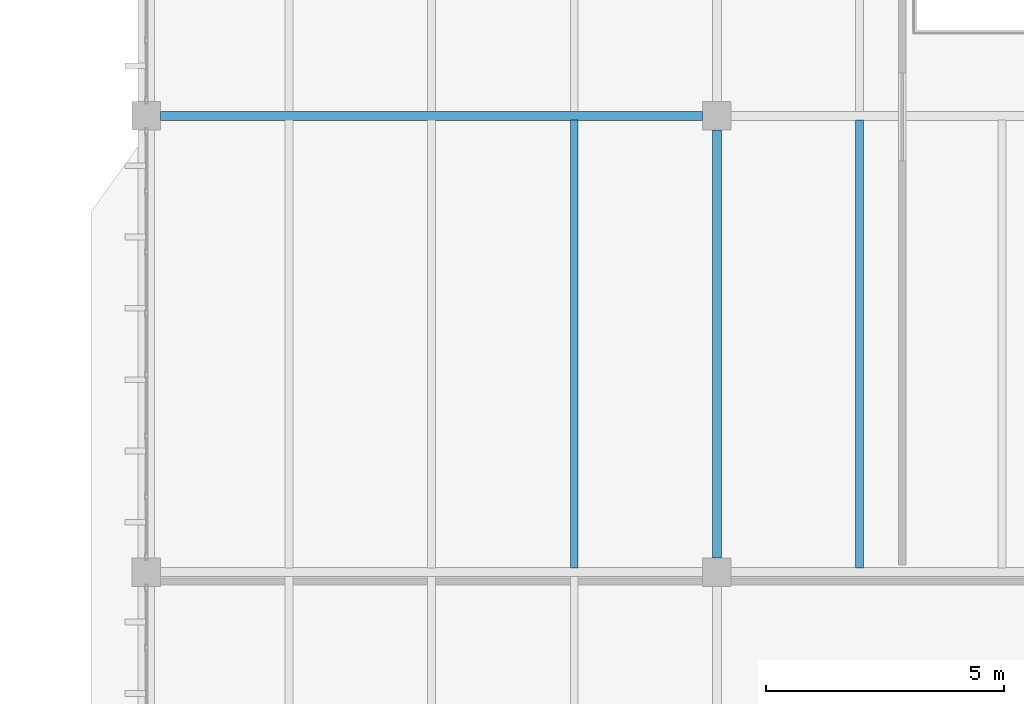
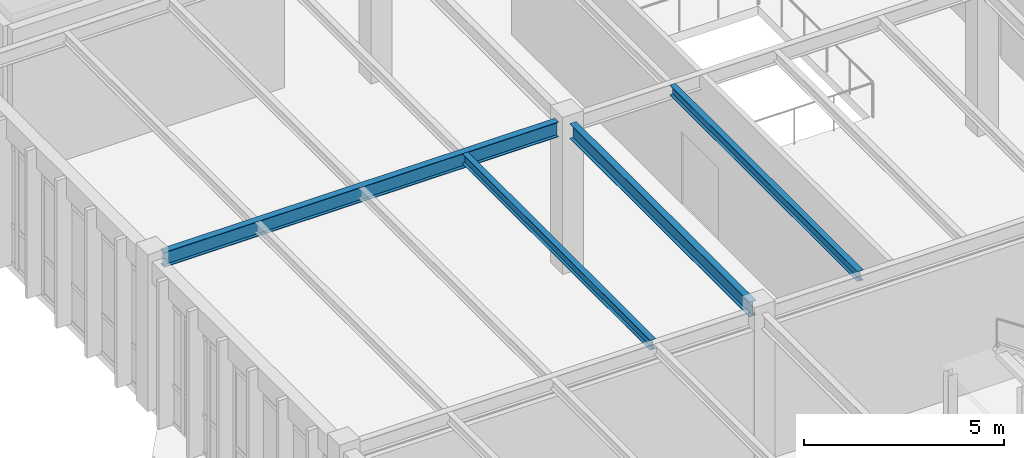
# One storey, part 133 of 236: 4 beams.
"""IFC4 building model written with IfcOpenShell, lengths in metres."""

from ifc_helpers import new_model, si_unit, direction, frame, origin, origin_2d, place, context, subcontext, project, spatial, i_section, extrude, material, material_profile, profile_set, type_object, element, save


model = new_model("IFC4")

# Units and contexts
model_context = context("Model", 3, precision=1e-05, world=origin(), true_north=direction((0.0, 1.0)))
body_context = subcontext(model_context, "Body", "Model", "MODEL_VIEW")
ifc_project = project(units=[si_unit("LENGTHUNIT", "METRE"), si_unit("AREAUNIT", "SQUARE_METRE"), si_unit("VOLUMEUNIT", "CUBIC_METRE"), si_unit("PLANEANGLEUNIT", "RADIAN"), si_unit("MASSUNIT", "GRAM", prefix="KILO")], contexts=[model_context])

# Site, building, storey
site_placement = place(None, origin())
site = spatial("IfcSite", under=ifc_project, at=site_placement, CompositionType="ELEMENT")
building_placement = place(site_placement, origin())
building = spatial("IfcBuilding", under=site, at=building_placement, Name="Pandanus Reach Market Hall", CompositionType="ELEMENT")
storey_placement = place(building_placement, frame((0.0, 0.0, 5.39990234375)))
storey = spatial("IfcBuildingStorey", under=building, at=storey_placement, Name="L01", CompositionType="ELEMENT", Elevation=5.39990234375)

# Beams
ifc_material = material(Name="Steel Grade 350 (350 MPa)", Category="steel")
ifc_material_profile_1 = material_profile(ifc_material, i_section(OverallWidth=0.18994140625, OverallDepth=0.45703125, WebThickness=0.009033203125, FlangeThickness=0.014404296875, at=origin_2d()), Name="460UB74.6", Category="LoadBearing")
ifc_profile_set_1 = profile_set([ifc_material_profile_1], Name="Steel Grade 350 (350 MPa)")
beam_type_1 = type_object("IfcBeamType", Name="BM-UB460-I", PredefinedType="BEAM", material=ifc_profile_set_1)
beam_1_placement = place(storey_placement, frame((144.298095703125, 38.39990234375, 4.311279296875), z_axis=(1.0, 0.0, 0.0), x_axis=(0.0, 1.0, 0.0)))
element("IfcBeam", 1, at=beam_1_placement, inside=storey, type_object=beam_type_1, Name="Framing beam BM-UB460-I L01.315", PredefinedType="BEAM", context=body_context, shape_type="SweptSolid", body=[
    extrude(i_section(OverallWidth=0.18994140625, OverallDepth=0.45703125, WebThickness=0.009033203125, FlangeThickness=0.014404296875, at=origin_2d()), origin(), (0.0, 0.0, 1.0), 11.40380859375),
])
beam_2_placement = place(storey_placement, frame((156.0, 29.097900390625, 4.311279296875), z_axis=(0.0, 1.0, 0.0), x_axis=(-1.0, 0.0, 0.0)))
element("IfcBeam", 2, at=beam_2_placement, inside=storey, type_object=beam_type_1, Name="Framing beam BM-UB460-I L01.347", PredefinedType="BEAM", context=body_context, shape_type="SweptSolid", body=[
    extrude(i_section(OverallWidth=0.18994140625, OverallDepth=0.45703125, WebThickness=0.009033203125, FlangeThickness=0.014404296875, at=origin_2d()), origin(), (0.0, 0.0, 1.0), 9.004150390625),
])
ifc_material_profile_2 = material_profile(ifc_material, i_section(OverallWidth=0.166015625, OverallDepth=0.306884765625, WebThickness=0.006591796875, FlangeThickness=0.01171875, at=origin_2d()), Name="310UB46.2", Category="LoadBearing")
ifc_profile_set_2 = profile_set([ifc_material_profile_2], Name="Steel Grade 350 (350 MPa)")
beam_type_2 = type_object("IfcBeamType", Name="JS-UB310H-I", PredefinedType="JOIST", material=ifc_profile_set_2)
for number, where, z_axis, x_axis, name in (
    (3, (153.0, 28.89306640625, 4.38623046875), (0.0, 1.0, 0.0), (-1.0, 0.0, 0.0), "Secondary joist JS-UB310H-I L01.380"),
    (4, (159.0, 28.89306640625, 4.38623046875), (0.0, 1.0, 0.0), (-1.0, 0.0, 0.0), "Secondary joist JS-UB310H-I L01.399"),
):
    element("IfcBeam", number, at=place(storey_placement, frame(where, z_axis=z_axis, x_axis=x_axis)), inside=storey, type_object=beam_type_2, Name=name, PredefinedType="JOIST", context=body_context, shape_type="SweptSolid", body=[
        extrude(i_section(OverallWidth=0.166015625, OverallDepth=0.306884765625, WebThickness=0.006591796875, FlangeThickness=0.01171875, at=origin_2d()), origin(), (0.0, 0.0, 1.0), 9.413818359375),
    ])

save(model, "model.ifc")
